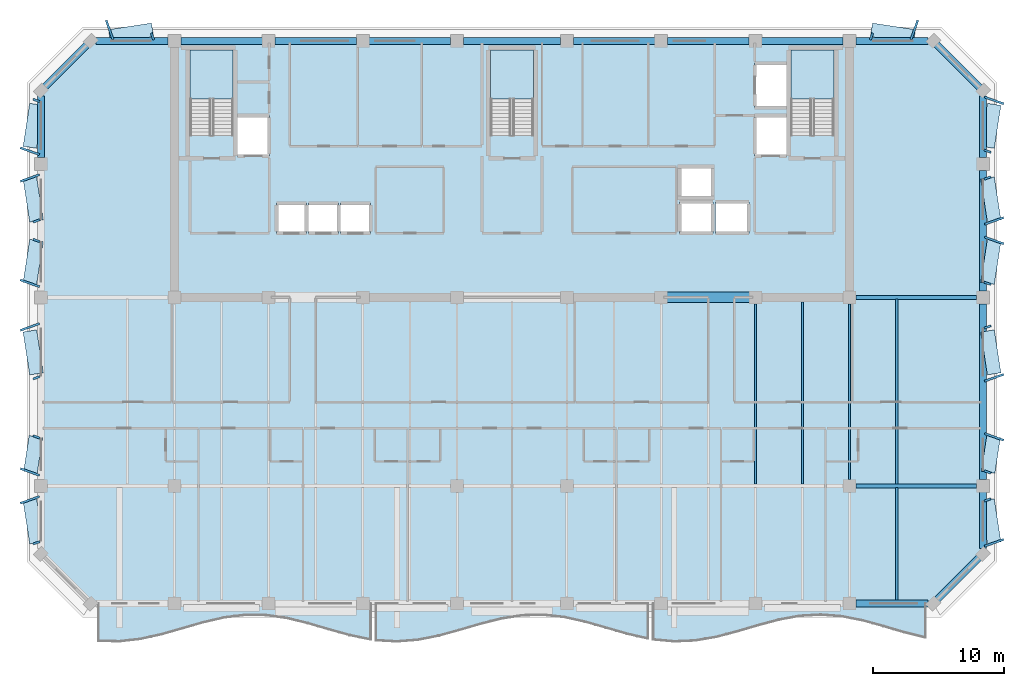
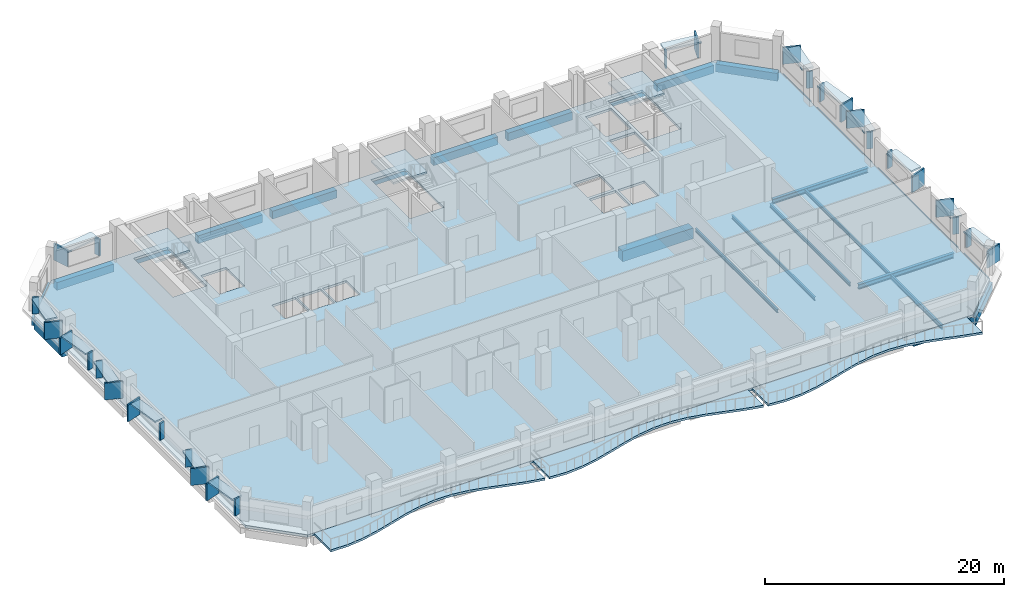
# One storey, part 2 of 11: 42 plates, 26 beams, 7 slabs, 3 elements without a shape of their own.
"""IFC4 building model written with IfcOpenShell, lengths in metres."""

from ifc_helpers import new_model, si_unit, direction, frame, origin, origin_2d, place, context, subcontext, project, spatial, polyline, rectangle, i_section, outline, extrude, material, layer, layer_set, material_profile, profile_set, type_object, element, aggregate, save


model = new_model("IFC4")

# Units and contexts
model_context = context("Model", 3, precision=1e-05, world=origin(), true_north=direction((0.0, 1.0)))
body_context = subcontext(model_context, "Body", "Model", "MODEL_VIEW")
ifc_project = project(units=[si_unit("LENGTHUNIT", "METRE"), si_unit("AREAUNIT", "SQUARE_METRE"), si_unit("VOLUMEUNIT", "CUBIC_METRE"), si_unit("PLANEANGLEUNIT", "RADIAN"), si_unit("MASSUNIT", "GRAM", prefix="KILO")], contexts=[model_context])

# Site, building, storey
site_placement = place(None, origin())
site = spatial("IfcSite", under=ifc_project, at=site_placement, CompositionType="ELEMENT")
building_placement = place(site_placement, origin())
building = spatial("IfcBuilding", under=site, at=building_placement, Name="Kaelvorn Grand Hotel", CompositionType="ELEMENT")
storey_placement = place(building_placement, frame((0.0, 0.0, 252.85009765625)))
storey = spatial("IfcBuildingStorey", under=building, at=storey_placement, Name="L62", CompositionType="ELEMENT", Elevation=252.85009765625)

# Beams
ifc_material_1 = material(Name="Steel S355", Category="steel")
ifc_material_profile_1 = material_profile(ifc_material_1, i_section(OverallWidth=0.300048828125, OverallDepth=0.5, WebThickness=0.014404296875, FlangeThickness=0.028076171875, FilletRadius=0.027099609375, at=origin_2d()), Name="HEB 500")
ifc_profile_set_1 = profile_set([ifc_material_profile_1], Name="Steel S355")
beam_type_1 = type_object("IfcBeamType", Name="BM-G-HEB500-S355", PredefinedType="BEAM", material=ifc_profile_set_1)
for number, where, z_axis, x_axis, name in (
    (1, (68.284912109375, 15.0, -0.489990234375), (1.0, 0.0, 0.0), (0.0, 1.0, 0.0), "L62 Primary Spine Steel Girder G-15 05"),
    (2, (68.284912109375, 29.39990234375, -0.489990234375), (1.0, 0.0, 0.0), (0.0, 1.0, 0.0), "L62 East Core Wing Steel Girder G-29E 01"),
):
    element("IfcBeam", number, at=place(storey_placement, frame(where, z_axis=z_axis, x_axis=x_axis)), inside=storey, type_object=beam_type_1, Name=name, PredefinedType="BEAM", context=body_context, shape_type="SweptSolid", body=[
        extrude(i_section(OverallWidth=0.300048828125, OverallDepth=0.5, WebThickness=0.014404296875, FlangeThickness=0.028076171875, FilletRadius=0.027099609375, at=origin_2d()), origin(), (0.0, 0.0, 1.0), 9.22998046875),
    ])
ifc_material_profile_2 = material_profile(ifc_material_1, i_section(OverallWidth=0.169921875, OverallDepth=0.360107421875, WebThickness=0.008056640625, FlangeThickness=0.0126953125, FilletRadius=0.01806640625, at=origin_2d()), Name="IPE 360")
ifc_profile_set_2 = profile_set([ifc_material_profile_2], Name="Steel S355")
beam_type_2 = type_object("IfcBeamType", Name="BM-J-IPE360-S355", PredefinedType="JOIST", material=ifc_profile_set_2)
beam_1_placement = place(storey_placement, frame((60.60009765625, 15.135009765625, -0.420166015625), z_axis=(0.0, 1.0, 0.0), x_axis=(-1.0, 0.0, 0.0)))
element("IfcBeam", 3, at=beam_1_placement, inside=storey, type_object=beam_type_2, Name="L62 Composite Floor Joist JM-17", PredefinedType="JOIST", context=body_context, shape_type="SweptSolid", body=[
    extrude(i_section(OverallWidth=0.169921875, OverallDepth=0.360107421875, WebThickness=0.008056640625, FlangeThickness=0.0126953125, FilletRadius=0.01806640625, at=origin_2d()), origin(), (0.0, 0.0, 1.0), 13.780029296875),
])
beam_2_placement = place(storey_placement, frame((64.199951171875, 15.135009765625, -0.420166015625), z_axis=(0.0, 1.0, 0.0), x_axis=(-1.0, 0.0, 0.0)))
element("IfcBeam", 4, at=beam_2_placement, inside=storey, type_object=beam_type_2, Name="L62 Composite Floor Joist JM-18", PredefinedType="JOIST", context=body_context, shape_type="SweptSolid", body=[
    extrude(i_section(OverallWidth=0.169921875, OverallDepth=0.360107421875, WebThickness=0.008056640625, FlangeThickness=0.0126953125, FilletRadius=0.01806640625, at=origin_2d()), origin(), (0.0, 0.0, 1.0), 13.925048828125),
])
beam_3_placement = place(storey_placement, frame((67.800048828125, 15.485107421875, -0.420166015625), z_axis=(0.0, 1.0, 0.0), x_axis=(-1.0, 0.0, 0.0)))
element("IfcBeam", 5, at=beam_3_placement, inside=storey, type_object=beam_type_2, Name="L62 Composite Floor Joist JM-19", PredefinedType="JOIST", context=body_context, shape_type="SweptSolid", body=[
    extrude(i_section(OverallWidth=0.169921875, OverallDepth=0.360107421875, WebThickness=0.008056640625, FlangeThickness=0.0126953125, FilletRadius=0.01806640625, at=origin_2d()), origin(), (0.0, 0.0, 1.0), 13.429931640625),
])
beam_4_placement = place(storey_placement, frame((71.39990234375, 15.135009765625, -0.420166015625), z_axis=(0.0, 1.0, 0.0), x_axis=(-1.0, 0.0, 0.0)))
element("IfcBeam", 6, at=beam_4_placement, inside=storey, type_object=beam_type_2, Name="L62 Composite Floor Joist JM-20", PredefinedType="JOIST", context=body_context, shape_type="SweptSolid", body=[
    extrude(i_section(OverallWidth=0.169921875, OverallDepth=0.360107421875, WebThickness=0.008056640625, FlangeThickness=0.0126953125, FilletRadius=0.01806640625, at=origin_2d()), origin(), (0.0, 0.0, 1.0), 14.1298828125),
])
ifc_material_profile_3 = material_profile(ifc_material_1, i_section(OverallWidth=0.18994140625, OverallDepth=0.449951171875, WebThickness=0.009521484375, FlangeThickness=0.0146484375, FilletRadius=0.02099609375, at=origin_2d()), Name="IPE 450")
ifc_profile_set_3 = profile_set([ifc_material_profile_3], Name="Steel S355")
beam_type_3 = type_object("IfcBeamType", Name="BM-J-IPE450-S355", PredefinedType="JOIST", material=ifc_profile_set_3)
beam_5_placement = place(storey_placement, frame((71.39990234375, 6.260009765625, -0.465087890625), z_axis=(0.0, 1.0, 0.0), x_axis=(-1.0, 0.0, 0.0)))
element("IfcBeam", 7, at=beam_5_placement, inside=storey, type_object=beam_type_3, Name="L62 Composite Floor Joist JS-20", PredefinedType="JOIST", context=body_context, shape_type="SweptSolid", body=[
    extrude(i_section(OverallWidth=0.18994140625, OverallDepth=0.449951171875, WebThickness=0.009521484375, FlangeThickness=0.0146484375, FilletRadius=0.02099609375, at=origin_2d()), origin(), (0.0, 0.0, 1.0), 8.60498046875),
])
ifc_material_2 = material(Name="Concrete C60/75", Category="concrete")
ifc_material_profile_4 = material_profile(ifc_material_2, rectangle(XDim=0.800048828125, YDim=1.10009765625, at=origin_2d()), Name="RC LINTEL 800x1100")
ifc_profile_set_4 = profile_set([ifc_material_profile_4], Name="Concrete C60/75")
beam_type_4 = type_object("IfcBeamType", Name="BM-LIN-800x1100-C60", PredefinedType="LINTEL", material=ifc_profile_set_4)
beam_6_placement = place(storey_placement, frame((53.580078125, 29.39990234375, -0.7900390625), z_axis=(1.0, 0.0, 0.0), x_axis=(0.0, 1.0, 0.0)))
element("IfcBeam", 8, at=beam_6_placement, inside=storey, type_object=beam_type_4, Name="L62 Rear-Core Coupling Lintel Beam CB1-03", PredefinedType="LINTEL", context=body_context, shape_type="SweptSolid", body=[
    extrude(rectangle(XDim=0.800048828125, YDim=1.10009765625, at=origin_2d()), origin(), (0.0, 0.0, 1.0), 6.83984375),
])
ifc_material_3 = material(Name="Concrete C50/60", Category="concrete")
ifc_material_profile_5 = material_profile(ifc_material_3, rectangle(XDim=0.550048828125, YDim=0.800048828125, at=origin_2d()), Name="RC SPANDREL 550x800")
ifc_profile_set_5 = profile_set([ifc_material_profile_5], Name="Concrete C50/60")
beam_type_5 = type_object("IfcBeamType", Name="BM-SP-550x800-C50", PredefinedType="SPANDREL", material=ifc_profile_set_5)
for number, where, z_axis, x_axis, name in (
    (9, (68.284912109375, 6.0, -0.64013671875), (1.0, 0.0, 0.0), (0.0, 1.0, 0.0), "L62 South Perimeter Spandrel 09"),
    (10, (10.205078125, 49.0, -0.64013671875), (1.0, 0.0, 0.0), (0.0, 1.0, 0.0), "L62 North Perimeter Spandrel 01"),
):
    element("IfcBeam", number, at=place(storey_placement, frame(where, z_axis=z_axis, x_axis=x_axis)), inside=storey, type_object=beam_type_5, Name=name, PredefinedType="SPANDREL", context=body_context, shape_type="SweptSolid", body=[
        extrude(rectangle(XDim=0.550048828125, YDim=0.800048828125, at=origin_2d()), origin(), (0.0, 0.0, 1.0), 5.510009765625),
    ])
for number, where, z_axis, x_axis, name in (
    (11, (16.68505859375, 49.0, -0.64013671875), (1.0, 0.0, 0.0), (0.0, 1.0, 0.0), "L62 North Perimeter Spandrel 02"),
    (12, (23.885009765625, 49.0, -0.64013671875), (1.0, 0.0, 0.0), (0.0, 1.0, 0.0), "L62 North Perimeter Spandrel 03"),
    (13, (31.0849609375, 49.0, -0.64013671875), (1.0, 0.0, 0.0), (0.0, 1.0, 0.0), "L62 North Perimeter Spandrel 04"),
):
    element("IfcBeam", number, at=place(storey_placement, frame(where, z_axis=z_axis, x_axis=x_axis)), inside=storey, type_object=beam_type_5, Name=name, PredefinedType="SPANDREL", context=body_context, shape_type="SweptSolid", body=[
        extrude(rectangle(XDim=0.550048828125, YDim=0.800048828125, at=origin_2d()), origin(), (0.0, 0.0, 1.0), 6.22998046875),
    ])
beam_7_placement = place(storey_placement, frame((38.284912109375, 49.0, -0.64013671875), z_axis=(1.0, 0.0, 0.0), x_axis=(0.0, 1.0, 0.0)))
element("IfcBeam", 14, at=beam_7_placement, inside=storey, type_object=beam_type_5, Name="L62 North Perimeter Spandrel 05", PredefinedType="SPANDREL", context=body_context, shape_type="SweptSolid", body=[
    extrude(rectangle(XDim=0.550048828125, YDim=0.800048828125, at=origin_2d()), origin(), (0.0, 0.0, 1.0), 7.43017578125),
])
for number, where, z_axis, x_axis, name in (
    (15, (46.68505859375, 49.0, -0.64013671875), (1.0, 0.0, 0.0), (0.0, 1.0, 0.0), "L62 North Perimeter Spandrel 06"),
    (16, (53.885009765625, 49.0, -0.64013671875), (1.0, 0.0, 0.0), (0.0, 1.0, 0.0), "L62 North Perimeter Spandrel 07"),
    (17, (61.0849609375, 49.0, -0.64013671875), (1.0, 0.0, 0.0), (0.0, 1.0, 0.0), "L62 North Perimeter Spandrel 08"),
):
    element("IfcBeam", number, at=place(storey_placement, frame(where, z_axis=z_axis, x_axis=x_axis)), inside=storey, type_object=beam_type_5, Name=name, PredefinedType="SPANDREL", context=body_context, shape_type="SweptSolid", body=[
        extrude(rectangle(XDim=0.550048828125, YDim=0.800048828125, at=origin_2d()), origin(), (0.0, 0.0, 1.0), 6.22998046875),
    ])
beam_8_placement = place(storey_placement, frame((68.284912109375, 49.0, -0.64013671875), z_axis=(1.0, 0.0, 0.0), x_axis=(0.0, 1.0, 0.0)))
element("IfcBeam", 18, at=beam_8_placement, inside=storey, type_object=beam_type_5, Name="L62 North Perimeter Spandrel 09", PredefinedType="SPANDREL", context=body_context, shape_type="SweptSolid", body=[
    extrude(rectangle(XDim=0.550048828125, YDim=0.800048828125, at=origin_2d()), origin(), (0.0, 0.0, 1.0), 5.510009765625),
])
beam_9_placement = place(storey_placement, frame((6.0, 40.0849609375, -0.64013671875), z_axis=(0.0, 1.0, 0.0), x_axis=(-1.0, 0.0, 0.0)))
element("IfcBeam", 19, at=beam_9_placement, inside=storey, type_object=beam_type_5, Name="L62 West Perimeter Spandrel 04", PredefinedType="SPANDREL", context=body_context, shape_type="SweptSolid", body=[
    extrude(rectangle(XDim=0.550048828125, YDim=0.800048828125, at=origin_2d()), origin(), (0.0, 0.0, 1.0), 4.7099609375),
])
beam_10_placement = place(storey_placement, frame((78.0, 10.205078125, -0.64013671875), z_axis=(0.0, 1.0, 0.0), x_axis=(-1.0, 0.0, 0.0)))
element("IfcBeam", 20, at=beam_10_placement, inside=storey, type_object=beam_type_5, Name="L62 East Perimeter Spandrel 01", PredefinedType="SPANDREL", context=body_context, shape_type="SweptSolid", body=[
    extrude(rectangle(XDim=0.550048828125, YDim=0.800048828125, at=origin_2d()), origin(), (0.0, 0.0, 1.0), 4.309814453125),
])
beam_11_placement = place(storey_placement, frame((78.0, 15.485107421875, -0.64013671875), z_axis=(0.0, 1.0, 0.0), x_axis=(-1.0, 0.0, 0.0)))
element("IfcBeam", 21, at=beam_11_placement, inside=storey, type_object=beam_type_5, Name="L62 East Perimeter Spandrel 02", PredefinedType="SPANDREL", context=body_context, shape_type="SweptSolid", body=[
    extrude(rectangle(XDim=0.550048828125, YDim=0.800048828125, at=origin_2d()), origin(), (0.0, 0.0, 1.0), 13.429931640625),
])
beam_12_placement = place(storey_placement, frame((78.0, 29.885009765625, -0.64013671875), z_axis=(0.0, 1.0, 0.0), x_axis=(-1.0, 0.0, 0.0)))
element("IfcBeam", 22, at=beam_12_placement, inside=storey, type_object=beam_type_5, Name="L62 East Perimeter Spandrel 03", PredefinedType="SPANDREL", context=body_context, shape_type="SweptSolid", body=[
    extrude(rectangle(XDim=0.550048828125, YDim=0.800048828125, at=origin_2d()), origin(), (0.0, 0.0, 1.0), 9.22998046875),
])
beam_13_placement = place(storey_placement, frame((78.0, 40.0849609375, -0.64013671875), z_axis=(0.0, 1.0, 0.0), x_axis=(-1.0, 0.0, 0.0)))
element("IfcBeam", 23, at=beam_13_placement, inside=storey, type_object=beam_type_5, Name="L62 East Perimeter Spandrel 04", PredefinedType="SPANDREL", context=body_context, shape_type="SweptSolid", body=[
    extrude(rectangle(XDim=0.550048828125, YDim=0.800048828125, at=origin_2d()), origin(), (0.0, 0.0, 1.0), 4.7099609375),
])
for number, where, z_axis, x_axis, name in (
    (24, (74.199951171875, 6.0, -0.64013671875), (0.707106781187, 0.707106781187, 0.0), (-0.707106781187, 0.707106781187, 0.0), "L62 Chamfer Spandrel Beam 1"),
    (25, (78.0, 45.199951171875, -0.64013671875), (-0.707106781187, 0.707106781187, 0.0), (-0.707106781187, -0.707106781187, 0.0), "L62 Chamfer Spandrel Beam 2"),
    (26, (9.800048828125, 49.0, -0.64013671875), (-0.707106781187, -0.707106781187, 0.0), (0.707106781187, -0.707106781187, 0.0), "L62 Chamfer Spandrel Beam 3"),
):
    element("IfcBeam", number, at=place(storey_placement, frame(where, z_axis=z_axis, x_axis=x_axis)), inside=storey, type_object=beam_type_5, Name=name, PredefinedType="SPANDREL", context=body_context, shape_type="SweptSolid", body=[
        extrude(rectangle(XDim=0.550048828125, YDim=0.800048828125, at=origin_2d()), origin(), (0.0, 0.0, 1.0), 5.3740234375),
    ])

# Plates
ifc_material_4 = material(Name="Precast concrete C45/55", Category="concrete")
ifc_layer_1 = layer(ifc_material_4, 0.159912109375)
ifc_layer_set_1 = layer_set([ifc_layer_1], Name="Precast concrete C45/55")
plate_type_1 = type_object("IfcPlateType", Name="PL-FRAME-DEEP-1550", PredefinedType="USERDEFINED", material=ifc_layer_set_1)
for number, where, z_axis, x_axis, name in (
    (27, (78.844970703125, 10.64501953125, 0.73974609375), (0.0, 0.0, 1.0), (-0.333806859234, 0.942641491092, 0.0), "L62 Tilted Precast Window Frame Fin L-E01"),
    (28, (78.844970703125, 18.739990234375, 0.73974609375), (0.0, 0.0, 1.0), (0.333806859234, 0.942641491092, 0.0), "L62 Tilted Precast Window Frame Fin R-E02"),
    (29, (78.844970703125, 23.260009765625, 0.81494140625), (0.0, 0.0, 1.0), (-0.333806859234, 0.942641491092, 0.0), "L62 Tilted Precast Window Frame Fin L-E03"),
    (30, (78.844970703125, 33.7548828125, 0.73974609375), (0.0, 0.0, 1.0), (0.333806859234, 0.942641491092, 0.0), "L62 Tilted Precast Window Frame Fin R-E04"),
    (31, (78.844970703125, 35.2451171875, 0.73974609375), (0.0, 0.0, 1.0), (-0.333806859234, 0.942641491092, 0.0), "L62 Tilted Precast Window Frame Fin L-E05"),
    (32, (78.844970703125, 44.455078125, 0.81494140625), (0.0, 0.0, 1.0), (0.333806859234, 0.942641491092, 0.0), "L62 Tilted Precast Window Frame Fin R-E06"),
    (33, (5.155029296875, 13.925048828125, 0.73974609375), (0.0, 0.0, 1.0), (-0.333806859234, 0.942641491092, 0.0), "L62 Tilted Precast Window Frame Fin R-W01"),
    (34, (5.155029296875, 16.06005859375, 0.73974609375), (0.0, 0.0, 1.0), (0.333806859234, 0.942641491092, 0.0), "L62 Tilted Precast Window Frame Fin L-W02"),
    (35, (5.155029296875, 27.139892578125, 0.81494140625), (0.0, 0.0, 1.0), (-0.333806859234, 0.942641491092, 0.0), "L62 Tilted Precast Window Frame Fin R-W03"),
    (36, (5.155029296875, 30.47509765625, 0.73974609375), (0.0, 0.0, 1.0), (0.333806859234, 0.942641491092, 0.0), "L62 Tilted Precast Window Frame Fin L-W04"),
    (37, (5.155029296875, 38.52490234375, 0.73974609375), (0.0, 0.0, 1.0), (-0.333806859234, 0.942641491092, 0.0), "L62 Tilted Precast Window Frame Fin R-W05"),
    (38, (5.155029296875, 40.574951171875, 0.81494140625), (0.0, 0.0, 1.0), (0.333806859234, 0.942641491092, 0.0), "L62 Tilted Precast Window Frame Fin L-W06"),
    (39, (11.2451171875, 49.844970703125, 0.73974609375), (0.0, 0.0, 1.0), (0.942641491092, 0.333806859234, 0.0), "L62 Tilted Precast Window Frame Fin L-N01"),
    (40, (72.7548828125, 49.844970703125, 0.73974609375), (0.0, 0.0, 1.0), (0.942641491092, -0.333806859234, 0.0), "L62 Tilted Precast Window Frame Fin R-N02"),
):
    element("IfcPlate", number, at=place(storey_placement, frame(where, z_axis=z_axis, x_axis=x_axis)), inside=storey, type_object=plate_type_1, Name=name, ObjectType="FLANGE_PLATE", PredefinedType="USERDEFINED", context=body_context, shape_type="SweptSolid", body=[
        extrude(rectangle(XDim=0.159912109375, YDim=1.550048828125, at=origin_2d()), origin(), (0.0, 0.0, 1.0), 1.719970703125),
    ])
ifc_layer_2 = layer(ifc_material_4, 0.159912109375)
ifc_layer_set_2 = layer_set([ifc_layer_2], Name="Precast concrete C45/55")
plate_type_2 = type_object("IfcPlateType", Name="PL-FRAME-HEAD-1050", PredefinedType="USERDEFINED", material=ifc_layer_set_2)
plate_1_placement = place(storey_placement, frame((78.594970703125, 12.284912109375, 2.35009765625), z_axis=(0.0, 0.0, 1.0), x_axis=(-0.152554625759, 0.988295040036, 0.0)))
element("IfcPlate", 41, at=plate_1_placement, inside=storey, type_object=plate_type_2, Name="L62 Precast Window Frame Head Hood H-E01", ObjectType="FLANGE_PLATE", PredefinedType="USERDEFINED", context=body_context, shape_type="SweptSolid", body=[
    extrude(rectangle(XDim=3.320068359375, YDim=1.050048828125, at=origin_2d()), origin(), (0.0, 0.0, 1.0), 0.159912109375),
])
plate_2_placement = place(storey_placement, frame((78.594970703125, 17.39990234375, 2.35009765625), z_axis=(0.0, 0.0, 1.0), x_axis=(0.152554625759, 0.988295040036, 0.0)))
element("IfcPlate", 42, at=plate_2_placement, inside=storey, type_object=plate_type_2, Name="L62 Precast Window Frame Head Hood H-E02", ObjectType="FLANGE_PLATE", PredefinedType="USERDEFINED", context=body_context, shape_type="SweptSolid", body=[
    extrude(rectangle(XDim=2.760009765625, YDim=1.050048828125, at=origin_2d()), origin(), (0.0, 0.0, 1.0), 0.159912109375),
])
for number, where, z_axis, x_axis, name in (
    (43, (78.594970703125, 25.199951171875, 2.5), (0.0, 0.0, 1.0), (-0.152554625759, 0.988295040036, 0.0), "L62 Precast Window Frame Head Hood H-E03"),
    (44, (78.594970703125, 32.114990234375, 2.35009765625), (0.0, 0.0, 1.0), (0.152554625759, 0.988295040036, 0.0), "L62 Precast Window Frame Head Hood H-E04"),
    (45, (78.594970703125, 36.885009765625, 2.35009765625), (0.0, 0.0, 1.0), (-0.152554625759, 0.988295040036, 0.0), "L62 Precast Window Frame Head Hood H-E05"),
    (46, (78.594970703125, 42.514892578125, 2.5), (0.0, 0.0, 1.0), (0.152554625759, 0.988295040036, 0.0), "L62 Precast Window Frame Head Hood H-E06"),
    (47, (5.405029296875, 12.284912109375, 2.35009765625), (0.0, 0.0, 1.0), (-0.152554625759, 0.988295040036, 0.0), "L62 Precast Window Frame Head Hood H-W01"),
):
    element("IfcPlate", number, at=place(storey_placement, frame(where, z_axis=z_axis, x_axis=x_axis)), inside=storey, type_object=plate_type_2, Name=name, ObjectType="FLANGE_PLATE", PredefinedType="USERDEFINED", context=body_context, shape_type="SweptSolid", body=[
        extrude(rectangle(XDim=3.320068359375, YDim=1.050048828125, at=origin_2d()), origin(), (0.0, 0.0, 1.0), 0.159912109375),
    ])
plate_3_placement = place(storey_placement, frame((5.405029296875, 17.39990234375, 2.35009765625), z_axis=(0.0, 0.0, 1.0), x_axis=(0.152554625759, 0.988295040036, 0.0)))
element("IfcPlate", 48, at=plate_3_placement, inside=storey, type_object=plate_type_2, Name="L62 Precast Window Frame Head Hood H-W02", ObjectType="FLANGE_PLATE", PredefinedType="USERDEFINED", context=body_context, shape_type="SweptSolid", body=[
    extrude(rectangle(XDim=2.760009765625, YDim=1.050048828125, at=origin_2d()), origin(), (0.0, 0.0, 1.0), 0.159912109375),
])
for number, where, z_axis, x_axis, name in (
    (49, (5.405029296875, 25.199951171875, 2.5), (0.0, 0.0, 1.0), (-0.152554625759, 0.988295040036, 0.0), "L62 Precast Window Frame Head Hood H-W03"),
    (50, (5.405029296875, 32.114990234375, 2.35009765625), (0.0, 0.0, 1.0), (0.152554625759, 0.988295040036, 0.0), "L62 Precast Window Frame Head Hood H-W04"),
    (51, (5.405029296875, 36.885009765625, 2.35009765625), (0.0, 0.0, 1.0), (-0.152554625759, 0.988295040036, 0.0), "L62 Precast Window Frame Head Hood H-W05"),
    (52, (5.405029296875, 42.514892578125, 2.5), (0.0, 0.0, 1.0), (0.152554625759, 0.988295040036, 0.0), "L62 Precast Window Frame Head Hood H-W06"),
    (53, (12.885009765625, 49.594970703125, 2.35009765625), (0.0, 0.0, 1.0), (0.988295040036, 0.152554625759, 0.0), "L62 Precast Window Frame Head Hood H-N01"),
    (54, (71.114990234375, 49.594970703125, 2.35009765625), (0.0, 0.0, 1.0), (0.988295040036, -0.152554625759, 0.0), "L62 Precast Window Frame Head Hood H-N02"),
):
    element("IfcPlate", number, at=place(storey_placement, frame(where, z_axis=z_axis, x_axis=x_axis)), inside=storey, type_object=plate_type_2, Name=name, ObjectType="FLANGE_PLATE", PredefinedType="USERDEFINED", context=body_context, shape_type="SweptSolid", body=[
        extrude(rectangle(XDim=3.320068359375, YDim=1.050048828125, at=origin_2d()), origin(), (0.0, 0.0, 1.0), 0.159912109375),
    ])
ifc_layer_3 = layer(ifc_material_4, 0.159912109375)
ifc_layer_set_3 = layer_set([ifc_layer_3], Name="Precast concrete C45/55")
plate_type_3 = type_object("IfcPlateType", Name="PL-FRAME-SHAL-550", PredefinedType="USERDEFINED", material=ifc_layer_set_3)
for number, where, z_axis, x_axis, name in (
    (55, (78.344970703125, 13.925048828125, 0.73974609375), (0.0, 0.0, 1.0), (-0.333806859234, 0.942641491092, 0.0), "L62 Tilted Precast Window Frame Fin R-E01"),
    (56, (78.344970703125, 16.06005859375, 0.73974609375), (0.0, 0.0, 1.0), (0.333806859234, 0.942641491092, 0.0), "L62 Tilted Precast Window Frame Fin L-E02"),
    (57, (78.344970703125, 27.139892578125, 0.81494140625), (0.0, 0.0, 1.0), (-0.333806859234, 0.942641491092, 0.0), "L62 Tilted Precast Window Frame Fin R-E03"),
    (58, (78.344970703125, 30.47509765625, 0.73974609375), (0.0, 0.0, 1.0), (0.333806859234, 0.942641491092, 0.0), "L62 Tilted Precast Window Frame Fin L-E04"),
    (59, (78.344970703125, 38.52490234375, 0.73974609375), (0.0, 0.0, 1.0), (-0.333806859234, 0.942641491092, 0.0), "L62 Tilted Precast Window Frame Fin R-E05"),
    (60, (78.344970703125, 40.574951171875, 0.81494140625), (0.0, 0.0, 1.0), (0.333806859234, 0.942641491092, 0.0), "L62 Tilted Precast Window Frame Fin L-E06"),
    (61, (5.655029296875, 10.64501953125, 0.73974609375), (0.0, 0.0, 1.0), (-0.333806859234, 0.942641491092, 0.0), "L62 Tilted Precast Window Frame Fin L-W01"),
    (62, (5.655029296875, 18.739990234375, 0.73974609375), (0.0, 0.0, 1.0), (0.333806859234, 0.942641491092, 0.0), "L62 Tilted Precast Window Frame Fin R-W02"),
    (63, (5.655029296875, 23.260009765625, 0.81494140625), (0.0, 0.0, 1.0), (-0.333806859234, 0.942641491092, 0.0), "L62 Tilted Precast Window Frame Fin L-W03"),
    (64, (5.655029296875, 33.7548828125, 0.73974609375), (0.0, 0.0, 1.0), (0.333806859234, 0.942641491092, 0.0), "L62 Tilted Precast Window Frame Fin R-W04"),
    (65, (5.655029296875, 35.2451171875, 0.73974609375), (0.0, 0.0, 1.0), (-0.333806859234, 0.942641491092, 0.0), "L62 Tilted Precast Window Frame Fin L-W05"),
    (66, (5.655029296875, 44.455078125, 0.81494140625), (0.0, 0.0, 1.0), (0.333806859234, 0.942641491092, 0.0), "L62 Tilted Precast Window Frame Fin R-W06"),
    (67, (14.52490234375, 49.344970703125, 0.73974609375), (0.0, 0.0, 1.0), (0.942641491092, 0.333806859234, 0.0), "L62 Tilted Precast Window Frame Fin R-N01"),
    (68, (69.47509765625, 49.344970703125, 0.73974609375), (0.0, 0.0, 1.0), (0.942641491092, -0.333806859234, 0.0), "L62 Tilted Precast Window Frame Fin L-N02"),
):
    element("IfcPlate", number, at=place(storey_placement, frame(where, z_axis=z_axis, x_axis=x_axis)), inside=storey, type_object=plate_type_3, Name=name, ObjectType="FLANGE_PLATE", PredefinedType="USERDEFINED", context=body_context, shape_type="SweptSolid", body=[
        extrude(rectangle(XDim=0.159912109375, YDim=0.550048828125, at=origin_2d()), origin(), (0.0, 0.0, 1.0), 1.719970703125),
    ])

# Slabs
ifc_material_5 = material(Name="Concrete C40/50", Category="concrete")
ifc_layer_4 = layer(ifc_material_5, 0.219970703125)
ifc_layer_set_4 = layer_set([ifc_layer_4], Name="Concrete C40/50")
slab_type_1 = type_object("IfcSlabType", Name="SLB-BALC-220-C40", PredefinedType="FLOOR", material=ifc_layer_set_4)
slab_1_placement = place(storey_placement, frame((0.0, 0.0, -0.22021484375)))
element("IfcSlab", 69, at=slab_1_placement, inside=storey, type_object=slab_type_1, Name="L62 Scalloped Wave Balcony Slab 1", PredefinedType="FLOOR", context=body_context, shape_type="SweptSolid", body=[
    extrude(outline(polyline([(10.39990234375, 3.150146484375), (12.0, 3.11181640625), (13.60009765625, 3.288818359375), (15.199951171875, 3.643798828125), (16.800048828125, 4.10107421875), (18.39990234375, 4.5634765625), (20.0, 4.9326171875), (21.60009765625, 5.130126953125), (23.199951171875, 5.113525390625), (24.800048828125, 4.88671875), (26.39990234375, 4.497802734375), (28.0, 4.02978515625), (29.60009765625, 3.581787109375), (31.199951171875, 3.24951171875), (31.199951171875, 6.0), (10.39990234375, 6.0), (10.39990234375, 3.150146484375)])), origin(), (0.0, 0.0, 1.0), 0.22021484375),
])
slab_2_placement = place(storey_placement, frame((0.0, 0.0, -0.22021484375)))
element("IfcSlab", 70, at=slab_2_placement, inside=storey, type_object=slab_type_1, Name="L62 Scalloped Wave Balcony Slab 2", PredefinedType="FLOOR", context=body_context, shape_type="SweptSolid", body=[
    extrude(outline(polyline([(31.60009765625, 3.193603515625), (33.199951171875, 3.1005859375), (34.800048828125, 3.2255859375), (36.39990234375, 3.5419921875), (38.0, 3.982421875), (39.60009765625, 4.453125), (41.199951171875, 4.85400390625), (42.800048828125, 5.099853515625), (44.39990234375, 5.13818359375), (46.0, 4.961181640625), (47.60009765625, 4.606201171875), (49.199951171875, 4.14892578125), (50.800048828125, 3.6865234375), (52.39990234375, 3.3173828125), (52.39990234375, 6.0), (31.60009765625, 6.0), (31.60009765625, 3.193603515625)])), origin(), (0.0, 0.0, 1.0), 0.22021484375),
])
slab_3_placement = place(storey_placement, frame((0.0, 0.0, -0.22021484375)))
element("IfcSlab", 71, at=slab_3_placement, inside=storey, type_object=slab_type_1, Name="L62 Scalloped Wave Balcony Slab 3", PredefinedType="FLOOR", context=body_context, shape_type="SweptSolid", body=[
    extrude(outline(polyline([(52.800048828125, 3.24951171875), (54.39990234375, 3.103515625), (56.0, 3.174560546875), (57.60009765625, 3.447998046875), (59.199951171875, 3.865478515625), (60.800048828125, 4.338134765625), (62.39990234375, 4.765380859375), (64.0, 5.056396484375), (65.60009765625, 5.1494140625), (67.199951171875, 5.0244140625), (68.800048828125, 4.7080078125), (70.39990234375, 4.267578125), (72.0, 3.796875), (73.60009765625, 3.39599609375), (73.60009765625, 6.0), (52.800048828125, 6.0), (52.800048828125, 3.24951171875)])), origin(), (0.0, 0.0, 1.0), 0.22021484375),
])
ifc_layer_5 = layer(ifc_material_5, 0.239990234375)
ifc_layer_set_5 = layer_set([ifc_layer_5], Name="Concrete C40/50")
slab_type_2 = type_object("IfcSlabType", Name="SLB-FLR-240-C40", PredefinedType="FLOOR", material=ifc_layer_set_5)
slab_4_placement = place(storey_placement, frame((0.0, 0.0, -0.239990234375)))
element("IfcSlab", 72, at=slab_4_placement, inside=storey, type_object=slab_type_2, Name="L62 Indoor Suspended Floor Slab", PredefinedType="FLOOR", context=body_context, shape_type="SweptSolid", body=[
    extrude(outline(polyline([(9.800048828125, 6.0), (74.199951171875, 6.0), (78.0, 9.800048828125), (78.0, 45.199951171875), (74.199951171875, 49.0), (9.800048828125, 49.0), (6.0, 45.199951171875), (6.0, 9.800048828125), (9.800048828125, 6.0)]), holes=[polyline([(17.39990234375, 41.760009765625), (17.39990234375, 48.300048828125), (20.679931640625, 48.300048828125), (20.679931640625, 41.760009765625), (17.39990234375, 41.760009765625)]), polyline([(40.360107421875, 41.760009765625), (40.360107421875, 48.300048828125), (43.639892578125, 48.300048828125), (43.639892578125, 41.760009765625), (40.360107421875, 41.760009765625)]), polyline([(63.320068359375, 41.760009765625), (63.320068359375, 48.300048828125), (66.60009765625, 48.300048828125), (66.60009765625, 41.760009765625), (63.320068359375, 41.760009765625)]), polyline([(24.0, 34.300048828125), (24.0, 36.60009765625), (26.300048828125, 36.60009765625), (26.300048828125, 34.300048828125), (24.0, 34.300048828125)]), polyline([(26.449951171875, 34.300048828125), (26.449951171875, 36.60009765625), (28.75, 36.60009765625), (28.75, 34.300048828125), (26.449951171875, 34.300048828125)]), polyline([(28.89990234375, 34.300048828125), (28.89990234375, 36.60009765625), (31.199951171875, 36.60009765625), (31.199951171875, 34.300048828125), (28.89990234375, 34.300048828125)]), polyline([(54.800048828125, 34.300048828125), (54.800048828125, 36.699951171875), (57.35009765625, 36.699951171875), (57.35009765625, 34.300048828125), (54.800048828125, 34.300048828125)]), polyline([(57.550048828125, 34.300048828125), (57.550048828125, 36.699951171875), (60.10009765625, 36.699951171875), (60.10009765625, 34.300048828125), (57.550048828125, 34.300048828125)]), polyline([(54.800048828125, 37.0), (54.800048828125, 39.39990234375), (57.35009765625, 39.39990234375), (57.35009765625, 37.0), (54.800048828125, 37.0)]), polyline([(21.0, 40.199951171875), (21.0, 43.300048828125), (23.449951171875, 43.300048828125), (23.449951171875, 40.199951171875), (21.0, 40.199951171875)]), polyline([(60.550048828125, 40.199951171875), (60.550048828125, 43.300048828125), (63.0, 43.300048828125), (63.0, 40.199951171875), (60.550048828125, 40.199951171875)]), polyline([(60.550048828125, 43.89990234375), (60.550048828125, 47.300048828125), (63.0, 47.300048828125), (63.0, 43.89990234375), (60.550048828125, 43.89990234375)])]), origin(), (0.0, 0.0, 1.0), 0.239990234375),
])

# Stair, slab
stair_type = type_object("IfcStairType", Name="STR-DOG-1560-R09", PredefinedType="HALF_TURN_STAIR", material=ifc_material_5)
stair_1_placement = place(storey_placement, origin())
stair_1 = element("IfcStair", 73, at=stair_1_placement, inside=storey, type_object=stair_type, Name="L62 West Core Exit Stair ST1", PredefinedType="HALF_TURN_STAIR")
ifc_layer_6 = layer(ifc_material_5, 0.199951171875)
ifc_layer_set_6 = layer_set([ifc_layer_6], Name="Concrete C40/50")
slab_type_3 = type_object("IfcSlabType", Name="SLB-LAND-200-C40", PredefinedType="LANDING", material=ifc_layer_set_6)
slab_5_placement = place(storey_placement, frame((0.0, 0.0, 1.77490234375)))
slab_5 = element("IfcSlab", 74, at=slab_5_placement, type_object=slab_type_3, Name="ST1 landing 1", PredefinedType="LANDING", context=body_context, shape_type="SweptSolid", body=[
    extrude(outline(polyline([(20.679931640625, 44.56005859375), (20.679931640625, 48.300048828125), (17.39990234375, 48.300048828125), (17.39990234375, 44.56005859375), (20.679931640625, 44.56005859375)])), origin(), (0.0, 0.0, 1.0), 0.199951171875),
])
aggregate(stair_1, [slab_5])

stair_2_placement = place(storey_placement, origin())
stair_2 = element("IfcStair", 75, at=stair_2_placement, inside=storey, type_object=stair_type, Name="L62 Central Core Exit Stair ST2", PredefinedType="HALF_TURN_STAIR")
slab_6_placement = place(storey_placement, frame((0.0, 0.0, 1.77490234375)))
slab_6 = element("IfcSlab", 76, at=slab_6_placement, type_object=slab_type_3, Name="ST2 landing 1", PredefinedType="LANDING", context=body_context, shape_type="SweptSolid", body=[
    extrude(outline(polyline([(43.639892578125, 44.56005859375), (43.639892578125, 48.300048828125), (40.360107421875, 48.300048828125), (40.360107421875, 44.56005859375), (43.639892578125, 44.56005859375)])), origin(), (0.0, 0.0, 1.0), 0.199951171875),
])
aggregate(stair_2, [slab_6])

stair_3_placement = place(storey_placement, origin())
stair_3 = element("IfcStair", 77, at=stair_3_placement, inside=storey, type_object=stair_type, Name="L62 East Core Exit Stair ST3", PredefinedType="HALF_TURN_STAIR")
slab_7_placement = place(storey_placement, frame((0.0, 0.0, 1.77490234375)))
slab_7 = element("IfcSlab", 78, at=slab_7_placement, type_object=slab_type_3, Name="ST3 landing 1", PredefinedType="LANDING", context=body_context, shape_type="SweptSolid", body=[
    extrude(outline(polyline([(66.60009765625, 44.56005859375), (66.60009765625, 48.300048828125), (63.320068359375, 48.300048828125), (63.320068359375, 44.56005859375), (66.60009765625, 44.56005859375)])), origin(), (0.0, 0.0, 1.0), 0.199951171875),
])
aggregate(stair_3, [slab_7])

save(model, "model.ifc")
